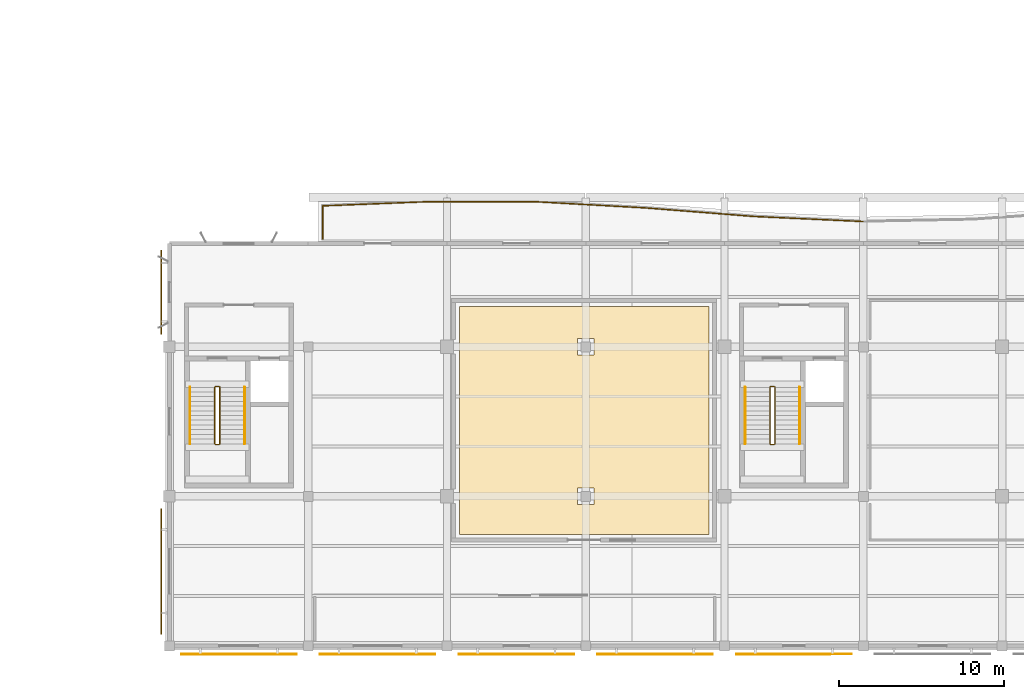
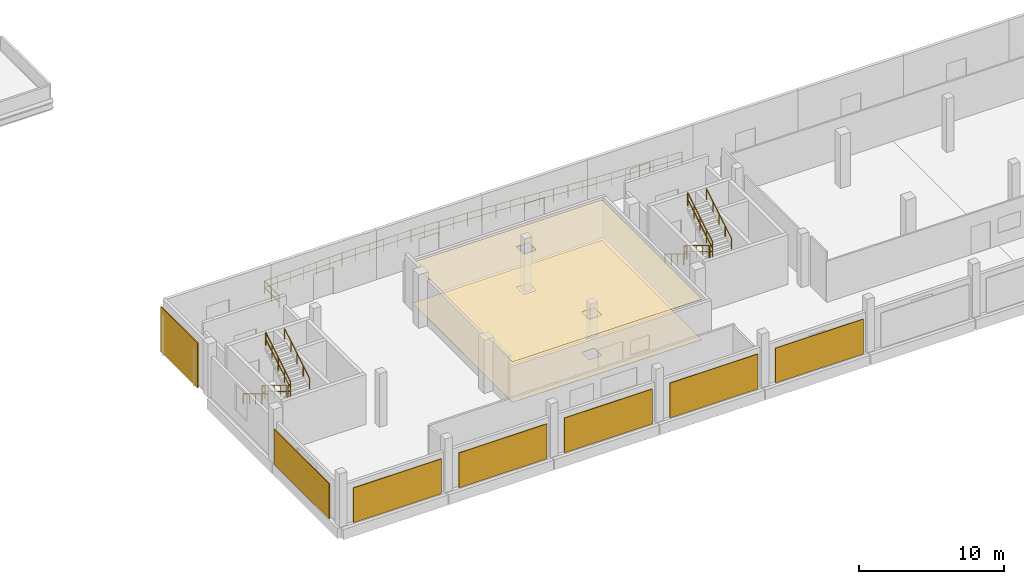
# One storey, part 25 of 34: 18 railings, 7 shading devices, 2 coverings.
"""IFC4 building model written with IfcOpenShell, lengths in metres."""

from ifc_helpers import new_model, si_unit, direction, frame, origin, origin_2d, place, context, subcontext, project, spatial, polyline, rectangle, circle, outline, extrude, material, layer, layer_set, type_object, element, save


model = new_model("IFC4")

# Units and contexts
model_context = context("Model", 3, precision=1e-05, world=origin(), true_north=direction((0.0, 1.0)))
body_context = subcontext(model_context, "Body", "Model", "MODEL_VIEW")
ifc_project = project(units=[si_unit("LENGTHUNIT", "METRE"), si_unit("AREAUNIT", "SQUARE_METRE"), si_unit("VOLUMEUNIT", "CUBIC_METRE"), si_unit("PLANEANGLEUNIT", "RADIAN"), si_unit("MASSUNIT", "GRAM", prefix="KILO")], contexts=[model_context])

# Site, building, storey
site_placement = place(None, origin())
site = spatial("IfcSite", under=ifc_project, at=site_placement, CompositionType="ELEMENT")
building_placement = place(site_placement, origin())
building = spatial("IfcBuilding", under=site, at=building_placement, Name="Khurvash Pelagic Aquarium", CompositionType="ELEMENT")
storey_placement = place(building_placement, frame((0.0, 0.0, 15.60009765625)))
storey = spatial("IfcBuildingStorey", under=building, at=storey_placement, Name="L03", CompositionType="ELEMENT", Elevation=15.60009765625)

# Railings
ifc_material_1 = material(Name="Laminated glass and stainless steel 316", Category="steel")
railing_type_1 = type_object("IfcRailingType", Name="BL-01", PredefinedType="BALUSTRADE", material=ifc_material_1)
railing_1_placement = place(storey_placement, frame((34.47998046875, 27.22998046875, 0.0)))
element("IfcRailing", 1, at=railing_1_placement, inside=storey, type_object=railing_type_1, Name="L03 Planted Terrace Perimeter Balustrade BL-01 0036", PredefinedType="BALUSTRADE", context=body_context, shape_type="SweptSolid", body=[
    extrude(circle(Radius=0.02392578125, at=origin_2d()), frame((0.0, 0.0, 1.076171875), z_axis=(0.0, 1.0, 0.0), x_axis=(-1.0, 0.0, 0.0)), (0.0, 0.0, 1.0), 2.0009765625),
    extrude(circle(Radius=0.02392578125, at=origin_2d()), frame((0.0, 0.0, 0.5380859375), z_axis=(0.0, 1.0, 0.0), x_axis=(-1.0, 0.0, 0.0)), (0.0, 0.0, 1.0), 2.0009765625),
    extrude(circle(Radius=0.02099609375, at=origin_2d()), origin(), (0.0, 0.0, 1.0), 1.052001953125),
    extrude(circle(Radius=0.02099609375, at=origin_2d()), frame((0.0, 1.00048828125, 0.0)), (0.0, 0.0, 1.0), 1.052001953125),
    extrude(circle(Radius=0.02099609375, at=origin_2d()), frame((0.0, 2.0009765625, 0.0)), (0.0, 0.0, 1.0), 1.052001953125),
])
railing_2_placement = place(storey_placement, frame((34.47998046875, 29.23095703125, 0.0)))
element("IfcRailing", 2, at=railing_2_placement, inside=storey, type_object=railing_type_1, Name="L03 Planted Terrace Perimeter Balustrade BL-01 0037", PredefinedType="BALUSTRADE", context=body_context, shape_type="SweptSolid", body=[
    extrude(circle(Radius=0.02392578125, at=origin_2d()), frame((0.0, 0.0, 1.076171875), z_axis=(0.99920778196, 0.039797091235, 0.0), x_axis=(-0.039797091235, 0.99920778196, 0.0)), (0.0, 0.0, 1.0), 6.3310546875),
    extrude(circle(Radius=0.02392578125, at=origin_2d()), frame((0.0, 0.0, 0.5380859375), z_axis=(0.99920778196, 0.039797091235, 0.0), x_axis=(-0.039797091235, 0.99920778196, 0.0)), (0.0, 0.0, 1.0), 6.3310546875),
    extrude(circle(Radius=0.02099609375, at=origin_2d()), origin(), (0.0, 0.0, 1.0), 1.052001953125),
    extrude(circle(Radius=0.02099609375, at=origin_2d()), frame((1.05419921875, 0.0419921875, 0.0)), (0.0, 0.0, 1.0), 1.052001953125),
    extrude(circle(Radius=0.02099609375, at=origin_2d()), frame((2.108642578125, 0.083984375, 0.0)), (0.0, 0.0, 1.0), 1.052001953125),
    extrude(circle(Radius=0.02099609375, at=origin_2d()), frame((3.1630859375, 0.1259765625, 0.0)), (0.0, 0.0, 1.0), 1.052001953125),
    extrude(circle(Radius=0.02099609375, at=origin_2d()), frame((4.21728515625, 0.16796875, 0.0)), (0.0, 0.0, 1.0), 1.052001953125),
    extrude(circle(Radius=0.02099609375, at=origin_2d()), frame((5.271484375, 0.2099609375, 0.0)), (0.0, 0.0, 1.0), 1.052001953125),
    extrude(circle(Radius=0.02099609375, at=origin_2d()), frame((6.325927734375, 0.251953125, 0.0)), (0.0, 0.0, 1.0), 1.052001953125),
])
railing_3_placement = place(storey_placement, frame((40.805908203125, 29.48291015625, 0.0)))
element("IfcRailing", 3, at=railing_3_placement, inside=storey, type_object=railing_type_1, Name="L03 Planted Terrace Perimeter Balustrade BL-01 0038", PredefinedType="BALUSTRADE", context=body_context, shape_type="SweptSolid", body=[
    extrude(circle(Radius=0.02392578125, at=origin_2d()), frame((0.0, 0.0, 1.076171875), z_axis=(0.999999901066, -0.000444823324, 0.0), x_axis=(0.000444823324, 0.999999901066, 0.0)), (0.0, 0.0, 1.0), 6.586181640625),
    extrude(circle(Radius=0.02392578125, at=origin_2d()), frame((0.0, 0.0, 0.5380859375), z_axis=(0.999999901066, -0.000444823324, 0.0), x_axis=(0.000444823324, 0.999999901066, 0.0)), (0.0, 0.0, 1.0), 6.586181640625),
    extrude(circle(Radius=0.02099609375, at=origin_2d()), origin(), (0.0, 0.0, 1.0), 1.052001953125),
    extrude(circle(Radius=0.02099609375, at=origin_2d()), frame((1.09765625, -0.00048828125, 0.0)), (0.0, 0.0, 1.0), 1.052001953125),
    extrude(circle(Radius=0.02099609375, at=origin_2d()), frame((2.1953125, -0.0009765625, 0.0)), (0.0, 0.0, 1.0), 1.052001953125),
    extrude(circle(Radius=0.02099609375, at=origin_2d()), frame((3.29296875, -0.00146484375, 0.0)), (0.0, 0.0, 1.0), 1.052001953125),
    extrude(circle(Radius=0.02099609375, at=origin_2d()), frame((4.390869140625, -0.001953125, 0.0)), (0.0, 0.0, 1.0), 1.052001953125),
    extrude(circle(Radius=0.02099609375, at=origin_2d()), frame((5.488525390625, -0.00244140625, 0.0)), (0.0, 0.0, 1.0), 1.052001953125),
    extrude(circle(Radius=0.02099609375, at=origin_2d()), frame((6.586181640625, -0.0029296875, 0.0)), (0.0, 0.0, 1.0), 1.052001953125),
])
railing_4_placement = place(storey_placement, frame((47.39208984375, 29.47998046875, 0.0)))
element("IfcRailing", 4, at=railing_4_placement, inside=storey, type_object=railing_type_1, Name="L03 Planted Terrace Perimeter Balustrade BL-01 0039", PredefinedType="BALUSTRADE", context=body_context, shape_type="SweptSolid", body=[
    extrude(circle(Radius=0.02392578125, at=origin_2d()), frame((0.0, 0.0, 1.076171875), z_axis=(0.998436355661, -0.055900301371, 0.0), x_axis=(0.055900301371, 0.998436355661, 0.0)), (0.0, 0.0, 1.0), 6.59912109375),
    extrude(circle(Radius=0.02392578125, at=origin_2d()), frame((0.0, 0.0, 0.5380859375), z_axis=(0.998436355661, -0.055900301371, 0.0), x_axis=(0.055900301371, 0.998436355661, 0.0)), (0.0, 0.0, 1.0), 6.59912109375),
    extrude(circle(Radius=0.02099609375, at=origin_2d()), origin(), (0.0, 0.0, 1.0), 1.052001953125),
    extrude(circle(Radius=0.02099609375, at=origin_2d()), frame((1.09814453125, -0.0615234375, 0.0)), (0.0, 0.0, 1.0), 1.052001953125),
    extrude(circle(Radius=0.02099609375, at=origin_2d()), frame((2.1962890625, -0.123046875, 0.0)), (0.0, 0.0, 1.0), 1.052001953125),
    extrude(circle(Radius=0.02099609375, at=origin_2d()), frame((3.29443359375, -0.1845703125, 0.0)), (0.0, 0.0, 1.0), 1.052001953125),
    extrude(circle(Radius=0.02099609375, at=origin_2d()), frame((4.392578125, -0.245849609375, 0.0)), (0.0, 0.0, 1.0), 1.052001953125),
    extrude(circle(Radius=0.02099609375, at=origin_2d()), frame((5.49072265625, -0.307373046875, 0.0)), (0.0, 0.0, 1.0), 1.052001953125),
    extrude(circle(Radius=0.02099609375, at=origin_2d()), frame((6.5888671875, -0.368896484375, 0.0)), (0.0, 0.0, 1.0), 1.052001953125),
])
railing_5_placement = place(storey_placement, frame((53.98095703125, 29.111083984375, 0.0)))
element("IfcRailing", 5, at=railing_5_placement, inside=storey, type_object=railing_type_1, Name="L03 Planted Terrace Perimeter Balustrade BL-01 0040", PredefinedType="BALUSTRADE", context=body_context, shape_type="SweptSolid", body=[
    extrude(circle(Radius=0.02392578125, at=origin_2d()), frame((0.0, 0.0, 1.076171875), z_axis=(0.996907511041, -0.078583805134, 0.0), x_axis=(0.078583805134, 0.996907511041, 0.0)), (0.0, 0.0, 1.0), 6.617431640625),
    extrude(circle(Radius=0.02392578125, at=origin_2d()), frame((0.0, 0.0, 0.5380859375), z_axis=(0.996907511041, -0.078583805134, 0.0), x_axis=(0.078583805134, 0.996907511041, 0.0)), (0.0, 0.0, 1.0), 6.617431640625),
    extrude(circle(Radius=0.02099609375, at=origin_2d()), origin(), (0.0, 0.0, 1.0), 1.052001953125),
    extrude(circle(Radius=0.02099609375, at=origin_2d()), frame((1.099609375, -0.086669921875, 0.0)), (0.0, 0.0, 1.0), 1.052001953125),
    extrude(circle(Radius=0.02099609375, at=origin_2d()), frame((2.198974609375, -0.17333984375, 0.0)), (0.0, 0.0, 1.0), 1.052001953125),
    extrude(circle(Radius=0.02099609375, at=origin_2d()), frame((3.29833984375, -0.260009765625, 0.0)), (0.0, 0.0, 1.0), 1.052001953125),
    extrude(circle(Radius=0.02099609375, at=origin_2d()), frame((4.39794921875, -0.3466796875, 0.0)), (0.0, 0.0, 1.0), 1.052001953125),
    extrude(circle(Radius=0.02099609375, at=origin_2d()), frame((5.49755859375, -0.433349609375, 0.0)), (0.0, 0.0, 1.0), 1.052001953125),
    extrude(circle(Radius=0.02099609375, at=origin_2d()), frame((6.596923828125, -0.52001953125, 0.0)), (0.0, 0.0, 1.0), 1.052001953125),
])
railing_6_placement = place(storey_placement, frame((60.5869140625, 28.590087890625, 0.0)))
element("IfcRailing", 6, at=railing_6_placement, inside=storey, type_object=railing_type_1, Name="L03 Planted Terrace Perimeter Balustrade BL-01 0041", PredefinedType="BALUSTRADE", context=body_context, shape_type="SweptSolid", body=[
    extrude(circle(Radius=0.02392578125, at=origin_2d()), frame((0.0, 0.0, 1.076171875), z_axis=(0.998925901014, -0.046336209213, 0.0), x_axis=(0.046336209213, 0.998925901014, 0.0)), (0.0, 0.0, 1.0), 6.607177734375),
    extrude(circle(Radius=0.02392578125, at=origin_2d()), frame((0.0, 0.0, 0.5380859375), z_axis=(0.998925901014, -0.046336209213, 0.0), x_axis=(0.046336209213, 0.998925901014, 0.0)), (0.0, 0.0, 1.0), 6.607177734375),
    extrude(circle(Radius=0.02099609375, at=origin_2d()), origin(), (0.0, 0.0, 1.0), 1.052001953125),
    extrude(circle(Radius=0.02099609375, at=origin_2d()), frame((1.10009765625, -0.051025390625, 0.0)), (0.0, 0.0, 1.0), 1.052001953125),
    extrude(circle(Radius=0.02099609375, at=origin_2d()), frame((2.199951171875, -0.10205078125, 0.0)), (0.0, 0.0, 1.0), 1.052001953125),
    extrude(circle(Radius=0.02099609375, at=origin_2d()), frame((3.300048828125, -0.153076171875, 0.0)), (0.0, 0.0, 1.0), 1.052001953125),
    extrude(circle(Radius=0.02099609375, at=origin_2d()), frame((4.400146484375, -0.2041015625, 0.0)), (0.0, 0.0, 1.0), 1.052001953125),
    extrude(circle(Radius=0.02099609375, at=origin_2d()), frame((5.5, -0.255126953125, 0.0)), (0.0, 0.0, 1.0), 1.052001953125),
    extrude(circle(Radius=0.02099609375, at=origin_2d()), frame((6.60009765625, -0.30615234375, 0.0)), (0.0, 0.0, 1.0), 1.052001953125),
])

# Coverings
ifc_material_2 = material(Name="Moisture-resistant acoustic mineral-fibre ceiling", Category="finish")
ifc_layer_1 = layer(ifc_material_2, 0.02490234375)
ifc_layer_set_1 = layer_set([ifc_layer_1], Name="Moisture-resistant acoustic mineral-fibre ceiling")
covering_type_1 = type_object("IfcCoveringType", Name="CV-CLG", PredefinedType="CEILING", material=ifc_layer_set_1)
covering_1_placement = place(storey_placement, frame((0.0, 0.0, 3.40478515625)))
element("IfcCovering", 7, at=covering_1_placement, inside=storey, type_object=covering_type_1, Name="L03 Hydrothermal Vent Ecosystems Gallery Suspended Acoustic Ceiling", PredefinedType="CEILING", context=body_context, shape_type="SweptSolid", body=[
    extrude(outline(polyline([(42.75, 23.14990234375), (42.75, 9.35009765625), (57.85009765625, 9.35009765625), (57.85009765625, 23.14990234375), (42.75, 23.14990234375)]), holes=[polyline([(50.89990234375, 12.14990234375), (50.89990234375, 11.14990234375), (49.89990234375, 11.14990234375), (49.89990234375, 12.14990234375), (50.89990234375, 12.14990234375)]), polyline([(50.89990234375, 20.199951171875), (49.89990234375, 20.199951171875), (49.89990234375, 21.199951171875), (50.89990234375, 21.199951171875), (50.89990234375, 20.199951171875)])]), origin(), (0.0, 0.0, 1.0), 0.025146484375),
])
ifc_material_3 = material(Name="Slip-resistant terrazzo and epoxy resin flooring", Category="finish")
ifc_layer_2 = layer(ifc_material_3, 0.02001953125)
ifc_layer_set_2 = layer_set([ifc_layer_2], Name="Slip-resistant terrazzo and epoxy resin flooring")
covering_type_2 = type_object("IfcCoveringType", Name="CV-FLR", PredefinedType="FLOORING", material=ifc_layer_set_2)
covering_2_placement = place(storey_placement, origin())
element("IfcCovering", 8, at=covering_2_placement, inside=storey, type_object=covering_type_2, Name="L03 Hydrothermal Vent Ecosystems Gallery Terrazzo Floor Finish", PredefinedType="FLOORING", context=body_context, shape_type="SweptSolid", body=[
    extrude(outline(polyline([(42.75, 23.14990234375), (42.75, 9.35009765625), (57.85009765625, 9.35009765625), (57.85009765625, 23.14990234375), (42.75, 23.14990234375)]), holes=[polyline([(50.89990234375, 12.14990234375), (50.89990234375, 11.14990234375), (49.89990234375, 11.14990234375), (49.89990234375, 12.14990234375), (50.89990234375, 12.14990234375)]), polyline([(50.89990234375, 20.199951171875), (49.89990234375, 20.199951171875), (49.89990234375, 21.199951171875), (50.89990234375, 21.199951171875), (50.89990234375, 20.199951171875)])]), origin(), (0.0, 0.0, 1.0), 0.02001953125),
])

# Railings
ifc_material_4 = material(Name="Powder-coated galvanised steel S355J2", Category="steel")
railing_type_2 = type_object("IfcRailingType", Name="GR-01", PredefinedType="GUARDRAIL", material=ifc_material_4)
railing_7_placement = place(storey_placement, frame((27.949951171875, 18.25, 0.173095703125)))
element("IfcRailing", 9, at=railing_7_placement, inside=storey, type_object=railing_type_2, Name="L03 ST-01 stair guard 1", PredefinedType="GUARDRAIL", context=body_context, shape_type="SweptSolid", body=[
    extrude(circle(Radius=0.02392578125, at=origin_2d()), frame((0.0, 0.0, 1.076171875), z_axis=(0.0, -0.854729506542, 0.519073665916), x_axis=(1.0, 0.0, 0.0)), (0.0, 0.0, 1.0), 4.001220703125),
    extrude(circle(Radius=0.02392578125, at=origin_2d()), frame((0.0, 0.0, 0.5380859375), z_axis=(0.0, -0.854729506542, 0.519073665916), x_axis=(1.0, 0.0, 0.0)), (0.0, 0.0, 1.0), 4.001220703125),
    extrude(circle(Radius=0.02099609375, at=origin_2d()), origin(), (0.0, 0.0, 1.0), 1.052001953125),
    extrude(circle(Radius=0.02099609375, at=origin_2d()), frame((0.0, -0.85498046875, 0.519287109375)), (0.0, 0.0, 1.0), 1.052001953125),
    extrude(circle(Radius=0.02099609375, at=origin_2d()), frame((0.0, -1.7099609375, 1.03857421875)), (0.0, 0.0, 1.0), 1.052001953125),
    extrude(circle(Radius=0.02099609375, at=origin_2d()), frame((0.0, -2.56494140625, 1.5576171875)), (0.0, 0.0, 1.0), 1.052001953125),
    extrude(circle(Radius=0.02099609375, at=origin_2d()), frame((0.0, -3.419921875, 2.076904296875)), (0.0, 0.0, 1.0), 1.052001953125),
])
railing_8_placement = place(storey_placement, frame((28.0, 14.780029296875, 2.25)))
element("IfcRailing", 10, at=railing_8_placement, inside=storey, type_object=railing_type_2, Name="L03 ST-01 stair guard 2", PredefinedType="GUARDRAIL", context=body_context, shape_type="SweptSolid", body=[
    extrude(circle(Radius=0.02392578125, at=origin_2d()), frame((0.0, 0.0, 1.076171875), z_axis=(1.0, 0.0, 0.0), x_axis=(0.0, 1.0, 0.0)), (0.0, 0.0, 1.0), 0.199951171875),
    extrude(circle(Radius=0.02392578125, at=origin_2d()), frame((0.0, 0.0, 0.5380859375), z_axis=(1.0, 0.0, 0.0), x_axis=(0.0, 1.0, 0.0)), (0.0, 0.0, 1.0), 0.199951171875),
    extrude(circle(Radius=0.02099609375, at=origin_2d()), origin(), (0.0, 0.0, 1.0), 1.052001953125),
    extrude(circle(Radius=0.02099609375, at=origin_2d()), frame((0.199951171875, 0.0, 0.0)), (0.0, 0.0, 1.0), 1.052001953125),
])
railing_9_placement = place(storey_placement, frame((28.25, 14.830078125, 2.423095703125)))
element("IfcRailing", 11, at=railing_9_placement, inside=storey, type_object=railing_type_2, Name="L03 ST-01 stair guard 3", PredefinedType="GUARDRAIL", context=body_context, shape_type="SweptSolid", body=[
    extrude(circle(Radius=0.02392578125, at=origin_2d()), frame((0.0, 0.0, 1.076171875), z_axis=(0.0, 0.854729506542, 0.519073665916), x_axis=(-1.0, 0.0, 0.0)), (0.0, 0.0, 1.0), 4.001220703125),
    extrude(circle(Radius=0.02392578125, at=origin_2d()), frame((0.0, 0.0, 0.5380859375), z_axis=(0.0, 0.854729506542, 0.519073665916), x_axis=(-1.0, 0.0, 0.0)), (0.0, 0.0, 1.0), 4.001220703125),
    extrude(circle(Radius=0.02099609375, at=origin_2d()), origin(), (0.0, 0.0, 1.0), 1.052001953125),
    extrude(circle(Radius=0.02099609375, at=origin_2d()), frame((0.0, 0.85498046875, 0.519287109375)), (0.0, 0.0, 1.0), 1.052001953125),
    extrude(circle(Radius=0.02099609375, at=origin_2d()), frame((0.0, 1.7099609375, 1.03857421875)), (0.0, 0.0, 1.0), 1.052001953125),
    extrude(circle(Radius=0.02099609375, at=origin_2d()), frame((0.0, 2.56494140625, 1.5576171875)), (0.0, 0.0, 1.0), 1.052001953125),
    extrude(circle(Radius=0.02099609375, at=origin_2d()), frame((0.0, 3.419921875, 2.076904296875)), (0.0, 0.0, 1.0), 1.052001953125),
])
railing_10_placement = place(storey_placement, frame((28.0, 18.300048828125, 0.0)))
element("IfcRailing", 12, at=railing_10_placement, inside=storey, type_object=railing_type_2, Name="L03 ST-01 stair guard 4", PredefinedType="GUARDRAIL", context=body_context, shape_type="SweptSolid", body=[
    extrude(circle(Radius=0.02392578125, at=origin_2d()), frame((0.0, 0.0, 1.076171875), z_axis=(1.0, 0.0, 0.0), x_axis=(0.0, 1.0, 0.0)), (0.0, 0.0, 1.0), 0.199951171875),
    extrude(circle(Radius=0.02392578125, at=origin_2d()), frame((0.0, 0.0, 0.5380859375), z_axis=(1.0, 0.0, 0.0), x_axis=(0.0, 1.0, 0.0)), (0.0, 0.0, 1.0), 0.199951171875),
    extrude(circle(Radius=0.02099609375, at=origin_2d()), origin(), (0.0, 0.0, 1.0), 1.052001953125),
    extrude(circle(Radius=0.02099609375, at=origin_2d()), frame((0.199951171875, 0.0, 0.0)), (0.0, 0.0, 1.0), 1.052001953125),
])
railing_11_placement = place(storey_placement, frame((61.550048828125, 18.25, 0.173095703125)))
element("IfcRailing", 13, at=railing_11_placement, inside=storey, type_object=railing_type_2, Name="L03 ST-02 stair guard 1", PredefinedType="GUARDRAIL", context=body_context, shape_type="SweptSolid", body=[
    extrude(circle(Radius=0.02392578125, at=origin_2d()), frame((0.0, 0.0, 1.076171875), z_axis=(0.0, -0.854729506542, 0.519073665916), x_axis=(1.0, 0.0, 0.0)), (0.0, 0.0, 1.0), 4.001220703125),
    extrude(circle(Radius=0.02392578125, at=origin_2d()), frame((0.0, 0.0, 0.5380859375), z_axis=(0.0, -0.854729506542, 0.519073665916), x_axis=(1.0, 0.0, 0.0)), (0.0, 0.0, 1.0), 4.001220703125),
    extrude(circle(Radius=0.02099609375, at=origin_2d()), origin(), (0.0, 0.0, 1.0), 1.052001953125),
    extrude(circle(Radius=0.02099609375, at=origin_2d()), frame((0.0, -0.85498046875, 0.519287109375)), (0.0, 0.0, 1.0), 1.052001953125),
    extrude(circle(Radius=0.02099609375, at=origin_2d()), frame((0.0, -1.7099609375, 1.03857421875)), (0.0, 0.0, 1.0), 1.052001953125),
    extrude(circle(Radius=0.02099609375, at=origin_2d()), frame((0.0, -2.56494140625, 1.5576171875)), (0.0, 0.0, 1.0), 1.052001953125),
    extrude(circle(Radius=0.02099609375, at=origin_2d()), frame((0.0, -3.419921875, 2.076904296875)), (0.0, 0.0, 1.0), 1.052001953125),
])
railing_12_placement = place(storey_placement, frame((61.60009765625, 14.780029296875, 2.25)))
element("IfcRailing", 14, at=railing_12_placement, inside=storey, type_object=railing_type_2, Name="L03 ST-02 stair guard 2", PredefinedType="GUARDRAIL", context=body_context, shape_type="SweptSolid", body=[
    extrude(circle(Radius=0.02392578125, at=origin_2d()), frame((0.0, 0.0, 1.076171875), z_axis=(1.0, 0.0, 0.0), x_axis=(0.0, 1.0, 0.0)), (0.0, 0.0, 1.0), 0.199951171875),
    extrude(circle(Radius=0.02392578125, at=origin_2d()), frame((0.0, 0.0, 0.5380859375), z_axis=(1.0, 0.0, 0.0), x_axis=(0.0, 1.0, 0.0)), (0.0, 0.0, 1.0), 0.199951171875),
    extrude(circle(Radius=0.02099609375, at=origin_2d()), origin(), (0.0, 0.0, 1.0), 1.052001953125),
    extrude(circle(Radius=0.02099609375, at=origin_2d()), frame((0.199951171875, 0.0, 0.0)), (0.0, 0.0, 1.0), 1.052001953125),
])
railing_13_placement = place(storey_placement, frame((61.85009765625, 14.830078125, 2.423095703125)))
element("IfcRailing", 15, at=railing_13_placement, inside=storey, type_object=railing_type_2, Name="L03 ST-02 stair guard 3", PredefinedType="GUARDRAIL", context=body_context, shape_type="SweptSolid", body=[
    extrude(circle(Radius=0.02392578125, at=origin_2d()), frame((0.0, 0.0, 1.076171875), z_axis=(0.0, 0.854729506542, 0.519073665916), x_axis=(-1.0, 0.0, 0.0)), (0.0, 0.0, 1.0), 4.001220703125),
    extrude(circle(Radius=0.02392578125, at=origin_2d()), frame((0.0, 0.0, 0.5380859375), z_axis=(0.0, 0.854729506542, 0.519073665916), x_axis=(-1.0, 0.0, 0.0)), (0.0, 0.0, 1.0), 4.001220703125),
    extrude(circle(Radius=0.02099609375, at=origin_2d()), origin(), (0.0, 0.0, 1.0), 1.052001953125),
    extrude(circle(Radius=0.02099609375, at=origin_2d()), frame((0.0, 0.85498046875, 0.519287109375)), (0.0, 0.0, 1.0), 1.052001953125),
    extrude(circle(Radius=0.02099609375, at=origin_2d()), frame((0.0, 1.7099609375, 1.03857421875)), (0.0, 0.0, 1.0), 1.052001953125),
    extrude(circle(Radius=0.02099609375, at=origin_2d()), frame((0.0, 2.56494140625, 1.5576171875)), (0.0, 0.0, 1.0), 1.052001953125),
    extrude(circle(Radius=0.02099609375, at=origin_2d()), frame((0.0, 3.419921875, 2.076904296875)), (0.0, 0.0, 1.0), 1.052001953125),
])
railing_14_placement = place(storey_placement, frame((61.60009765625, 18.300048828125, 0.0)))
element("IfcRailing", 16, at=railing_14_placement, inside=storey, type_object=railing_type_2, Name="L03 ST-02 stair guard 4", PredefinedType="GUARDRAIL", context=body_context, shape_type="SweptSolid", body=[
    extrude(circle(Radius=0.02392578125, at=origin_2d()), frame((0.0, 0.0, 1.076171875), z_axis=(1.0, 0.0, 0.0), x_axis=(0.0, 1.0, 0.0)), (0.0, 0.0, 1.0), 0.199951171875),
    extrude(circle(Radius=0.02392578125, at=origin_2d()), frame((0.0, 0.0, 0.5380859375), z_axis=(1.0, 0.0, 0.0), x_axis=(0.0, 1.0, 0.0)), (0.0, 0.0, 1.0), 0.199951171875),
    extrude(circle(Radius=0.02099609375, at=origin_2d()), origin(), (0.0, 0.0, 1.0), 1.052001953125),
    extrude(circle(Radius=0.02099609375, at=origin_2d()), frame((0.199951171875, 0.0, 0.0)), (0.0, 0.0, 1.0), 1.052001953125),
])
ifc_material_5 = material(Name="Brushed stainless steel 316", Category="steel")
railing_type_3 = type_object("IfcRailingType", Name="HR-01", PredefinedType="HANDRAIL", material=ifc_material_5)
railing_15_placement = place(storey_placement, frame((26.449951171875, 18.25, 0.173095703125)))
element("IfcRailing", 17, at=railing_15_placement, inside=storey, type_object=railing_type_3, Name="L03 ST-01 stair handrail 1", PredefinedType="HANDRAIL", context=body_context, shape_type="SweptSolid", body=[
    extrude(circle(Radius=0.02392578125, at=origin_2d()), frame((0.0, 0.0, 0.8759765625), z_axis=(0.0, -0.854729506542, 0.519073665916), x_axis=(1.0, 0.0, 0.0)), (0.0, 0.0, 1.0), 4.001220703125),
    extrude(circle(Radius=0.02099609375, at=origin_2d()), origin(), (0.0, 0.0, 1.0), 0.851806640625),
    extrude(circle(Radius=0.02099609375, at=origin_2d()), frame((0.0, -0.85498046875, 0.519287109375)), (0.0, 0.0, 1.0), 0.851806640625),
    extrude(circle(Radius=0.02099609375, at=origin_2d()), frame((0.0, -1.7099609375, 1.03857421875)), (0.0, 0.0, 1.0), 0.851806640625),
    extrude(circle(Radius=0.02099609375, at=origin_2d()), frame((0.0, -2.56494140625, 1.5576171875)), (0.0, 0.0, 1.0), 0.851806640625),
    extrude(circle(Radius=0.02099609375, at=origin_2d()), frame((0.0, -3.419921875, 2.076904296875)), (0.0, 0.0, 1.0), 0.851806640625),
])
railing_16_placement = place(storey_placement, frame((29.75, 14.830078125, 2.423095703125)))
element("IfcRailing", 18, at=railing_16_placement, inside=storey, type_object=railing_type_3, Name="L03 ST-01 stair handrail 2", PredefinedType="HANDRAIL", context=body_context, shape_type="SweptSolid", body=[
    extrude(circle(Radius=0.02392578125, at=origin_2d()), frame((0.0, 0.0, 0.8759765625), z_axis=(0.0, 0.854729506542, 0.519073665916), x_axis=(-1.0, 0.0, 0.0)), (0.0, 0.0, 1.0), 4.001220703125),
    extrude(circle(Radius=0.02099609375, at=origin_2d()), origin(), (0.0, 0.0, 1.0), 0.851806640625),
    extrude(circle(Radius=0.02099609375, at=origin_2d()), frame((0.0, 0.85498046875, 0.519287109375)), (0.0, 0.0, 1.0), 0.851806640625),
    extrude(circle(Radius=0.02099609375, at=origin_2d()), frame((0.0, 1.7099609375, 1.03857421875)), (0.0, 0.0, 1.0), 0.851806640625),
    extrude(circle(Radius=0.02099609375, at=origin_2d()), frame((0.0, 2.56494140625, 1.5576171875)), (0.0, 0.0, 1.0), 0.851806640625),
    extrude(circle(Radius=0.02099609375, at=origin_2d()), frame((0.0, 3.419921875, 2.076904296875)), (0.0, 0.0, 1.0), 0.851806640625),
])
railing_17_placement = place(storey_placement, frame((60.050048828125, 18.25, 0.173095703125)))
element("IfcRailing", 19, at=railing_17_placement, inside=storey, type_object=railing_type_3, Name="L03 ST-02 stair handrail 1", PredefinedType="HANDRAIL", context=body_context, shape_type="SweptSolid", body=[
    extrude(circle(Radius=0.02392578125, at=origin_2d()), frame((0.0, 0.0, 0.8759765625), z_axis=(0.0, -0.854729506542, 0.519073665916), x_axis=(1.0, 0.0, 0.0)), (0.0, 0.0, 1.0), 4.001220703125),
    extrude(circle(Radius=0.02099609375, at=origin_2d()), origin(), (0.0, 0.0, 1.0), 0.851806640625),
    extrude(circle(Radius=0.02099609375, at=origin_2d()), frame((0.0, -0.85498046875, 0.519287109375)), (0.0, 0.0, 1.0), 0.851806640625),
    extrude(circle(Radius=0.02099609375, at=origin_2d()), frame((0.0, -1.7099609375, 1.03857421875)), (0.0, 0.0, 1.0), 0.851806640625),
    extrude(circle(Radius=0.02099609375, at=origin_2d()), frame((0.0, -2.56494140625, 1.5576171875)), (0.0, 0.0, 1.0), 0.851806640625),
    extrude(circle(Radius=0.02099609375, at=origin_2d()), frame((0.0, -3.419921875, 2.076904296875)), (0.0, 0.0, 1.0), 0.851806640625),
])
railing_18_placement = place(storey_placement, frame((63.35009765625, 14.830078125, 2.423095703125)))
element("IfcRailing", 20, at=railing_18_placement, inside=storey, type_object=railing_type_3, Name="L03 ST-02 stair handrail 2", PredefinedType="HANDRAIL", context=body_context, shape_type="SweptSolid", body=[
    extrude(circle(Radius=0.02392578125, at=origin_2d()), frame((0.0, 0.0, 0.8759765625), z_axis=(0.0, 0.854729506542, 0.519073665916), x_axis=(-1.0, 0.0, 0.0)), (0.0, 0.0, 1.0), 4.001220703125),
    extrude(circle(Radius=0.02099609375, at=origin_2d()), origin(), (0.0, 0.0, 1.0), 0.851806640625),
    extrude(circle(Radius=0.02099609375, at=origin_2d()), frame((0.0, 0.85498046875, 0.519287109375)), (0.0, 0.0, 1.0), 0.851806640625),
    extrude(circle(Radius=0.02099609375, at=origin_2d()), frame((0.0, 1.7099609375, 1.03857421875)), (0.0, 0.0, 1.0), 0.851806640625),
    extrude(circle(Radius=0.02099609375, at=origin_2d()), frame((0.0, 2.56494140625, 1.5576171875)), (0.0, 0.0, 1.0), 0.851806640625),
    extrude(circle(Radius=0.02099609375, at=origin_2d()), frame((0.0, 3.419921875, 2.076904296875)), (0.0, 0.0, 1.0), 0.851806640625),
])

# Shading devices
ifc_material_6 = material(Name="Extruded anodised aluminium fin", Category="aluminium")
ifc_layer_3 = layer(ifc_material_6, 0.074951171875)
ifc_layer_set_3 = layer_set([ifc_layer_3], Name="Extruded anodised aluminium fin")
shading_device_type_1 = type_object("IfcShadingDeviceType", Name="SH-FIN", PredefinedType="USERDEFINED", material=ifc_layer_set_3)
shading_device_1_placement = place(storey_placement, frame((24.699951171875, 24.001953125, 0.19970703125), z_axis=(0.0, 0.0, 1.0), x_axis=(0.0, -1.0, 0.0)))
element("IfcShadingDevice", 21, at=shading_device_1_placement, inside=storey, type_object=shading_device_type_1, Name="L03 Perforated Aluminium Jali Screen SH-FIN 0043", ObjectType="SOLAR FIN", PredefinedType="USERDEFINED", context=body_context, shape_type="SweptSolid", body=[
    extrude(rectangle(XDim=5.094970703125, YDim=0.074951171875, at=origin_2d()), origin(), (0.0, 0.0, 1.0), 3.800048828125),
])
shading_device_2_placement = place(storey_placement, frame((24.699951171875, 7.10009765625, 0.19970703125), z_axis=(0.0, 0.0, 1.0), x_axis=(0.0, -1.0, 0.0)))
element("IfcShadingDevice", 22, at=shading_device_2_placement, inside=storey, type_object=shading_device_type_1, Name="L03 Perforated Aluminium Jali Screen SH-FIN 0044", ObjectType="SOLAR FIN", PredefinedType="USERDEFINED", context=body_context, shape_type="SweptSolid", body=[
    extrude(rectangle(XDim=7.590087890625, YDim=0.074951171875, at=origin_2d()), origin(), (0.0, 0.0, 1.0), 2.949951171875),
])
ifc_material_7 = material(Name="Perforated anodised aluminium AW-5005", Category="aluminium")
ifc_layer_4 = layer(ifc_material_7, 0.06005859375)
ifc_layer_set_4 = layer_set([ifc_layer_4], Name="Perforated anodised aluminium AW-5005")
shading_device_type_2 = type_object("IfcShadingDeviceType", Name="SH-JAL", PredefinedType="JALOUSIE", material=ifc_layer_set_4)
for number, where, z_axis, x_axis, name in (
    (23, (29.39990234375, 2.10009765625, 0.19970703125), (0.0, 0.0, 1.0), (1.0, 0.0, 0.0), "L03 Perforated Aluminium Jali Screen SH-JAL 0033"),
    (24, (37.800048828125, 2.10009765625, 0.19970703125), (0.0, 0.0, 1.0), (1.0, 0.0, 0.0), "L03 Perforated Aluminium Jali Screen SH-JAL 0034"),
    (25, (46.199951171875, 2.10009765625, 0.19970703125), (0.0, 0.0, 1.0), (1.0, 0.0, 0.0), "L03 Perforated Aluminium Jali Screen SH-JAL 0035"),
    (26, (54.60009765625, 2.10009765625, 0.19970703125), (0.0, 0.0, 1.0), (1.0, 0.0, 0.0), "L03 Perforated Aluminium Jali Screen SH-JAL 0036"),
    (27, (63.0, 2.10009765625, 0.19970703125), (0.0, 0.0, 1.0), (1.0, 0.0, 0.0), "L03 Perforated Aluminium Jali Screen SH-JAL 0037"),
):
    element("IfcShadingDevice", number, at=place(storey_placement, frame(where, z_axis=z_axis, x_axis=x_axis)), inside=storey, type_object=shading_device_type_2, Name=name, PredefinedType="JALOUSIE", context=body_context, shape_type="SweptSolid", body=[
        extrude(rectangle(XDim=6.989990234375, YDim=0.06005859375, at=origin_2d()), origin(), (0.0, 0.0, 1.0), 2.929931640625),
    ])

save(model, "model.ifc")
